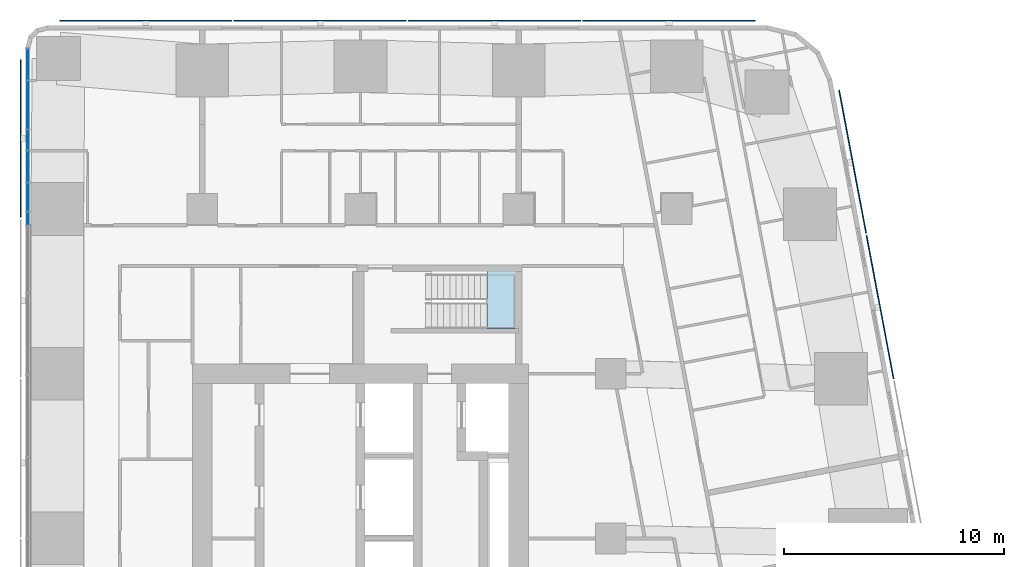
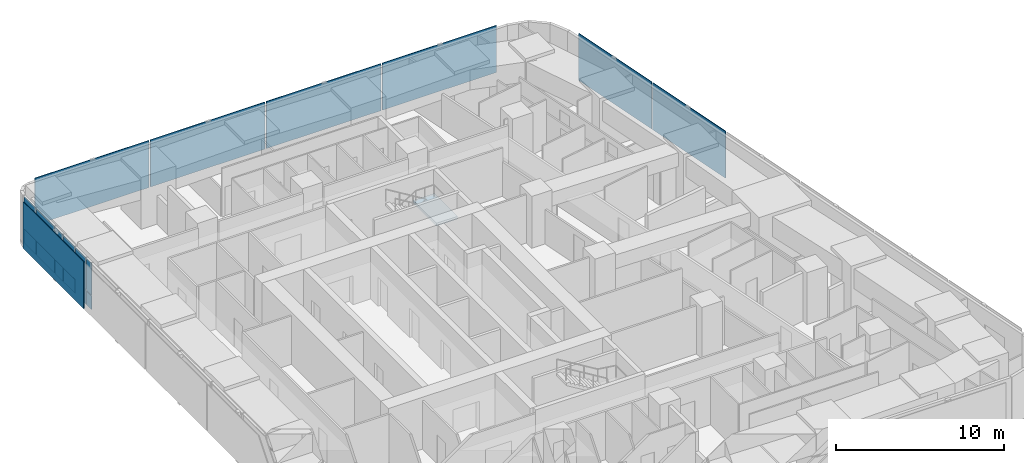
# One storey, part 9 of 19: 19 plates, 1 slab, 2 elements without a shape of their own.
"""IFC4 building model written with IfcOpenShell, lengths in metres."""

from ifc_helpers import new_model, si_unit, direction, frame, origin, origin_2d, place, context, subcontext, project, spatial, polyline, rectangle, outline, extrude, material, layer, layer_set, type_object, element, aggregate, save


model = new_model("IFC4")

# Units and contexts
model_context = context("Model", 3, precision=1e-05, world=origin(), true_north=direction((0.0, 1.0)))
body_context = subcontext(model_context, "Body", "Model", "MODEL_VIEW")
ifc_project = project(units=[si_unit("LENGTHUNIT", "METRE"), si_unit("AREAUNIT", "SQUARE_METRE"), si_unit("VOLUMEUNIT", "CUBIC_METRE"), si_unit("PLANEANGLEUNIT", "RADIAN"), si_unit("MASSUNIT", "GRAM", prefix="KILO")], contexts=[model_context])

# Site, building, storey
site_placement = place(None, origin())
site = spatial("IfcSite", under=ifc_project, at=site_placement, CompositionType="ELEMENT")
building_placement = place(site_placement, origin())
building = spatial("IfcBuilding", under=site, at=building_placement, Name="Sheger Commons Tower", CompositionType="ELEMENT")
storey_placement = place(building_placement, frame((0.0, 0.0, 197.449951171875)))
storey = spatial("IfcBuildingStorey", under=building, at=storey_placement, Name="L50", CompositionType="ELEMENT", Elevation=197.449951171875)

# Curtain wall, plates
ifc_material_1 = material(Name="Black aluminium curtain wall, dark tinted glazing", Category="aluminium")
curtain_wall_type = type_object("IfcCurtainWallType", Name="CURTAIN WALL CW4 GALLERY", PredefinedType="USERDEFINED", material=ifc_material_1)
curtain_wall_placement = place(storey_placement, origin())
curtain_wall = element("IfcCurtainWall", 1, at=curtain_wall_placement, inside=storey, type_object=curtain_wall_type, Name="Curtain Wall Cw4 Gallery W1 L50", ObjectType="UNITISED CURTAIN WALL", PredefinedType="USERDEFINED")
ifc_material_2 = material(Name="Dark tinted double glazing", Category="glass")
ifc_layer_1 = layer(ifc_material_2, 0.031982421875)
ifc_layer_set_1 = layer_set([ifc_layer_1], Name="GLAZED PANEL 32")
plate_type_1 = type_object("IfcPlateType", Name="GLAZED PANEL 32", PredefinedType="CURTAIN_PANEL", material=ifc_layer_set_1)
plate_1_placement = place(storey_placement, frame((6.449951171875, 44.0751953125, 0.065185546875), z_axis=(0.0, 0.0, 1.0), x_axis=(0.0, -1.0, 0.0)))
plate_1 = element("IfcPlate", 2, at=plate_1_placement, type_object=plate_type_1, Name="CW4 panel 1.1", PredefinedType="CURTAIN_PANEL", context=body_context, shape_type="SweptSolid", body=[
    extrude(rectangle(XDim=1.3935546875, YDim=0.031982421875, at=origin_2d()), origin(), (0.0, 0.0, 1.0), 1.00244140625),
])
plate_2_placement = place(storey_placement, frame((6.449951171875, 44.0751953125, 1.13232421875), z_axis=(0.0, 0.0, 1.0), x_axis=(0.0, -1.0, 0.0)))
plate_2 = element("IfcPlate", 3, at=plate_2_placement, type_object=plate_type_1, Name="CW4 panel 1.2", PredefinedType="CURTAIN_PANEL", context=body_context, shape_type="SweptSolid", body=[
    extrude(rectangle(XDim=1.3935546875, YDim=0.031982421875, at=origin_2d()), origin(), (0.0, 0.0, 1.0), 2.302490234375),
])
plate_3_placement = place(storey_placement, frame((6.449951171875, 42.22998046875, 0.065185546875), z_axis=(0.0, 0.0, 1.0), x_axis=(0.0, -1.0, 0.0)))
plate_3 = element("IfcPlate", 4, at=plate_3_placement, type_object=plate_type_1, Name="CW4 panel 2.1", PredefinedType="CURTAIN_PANEL", context=body_context, shape_type="SweptSolid", body=[
    extrude(rectangle(XDim=2.1669921875, YDim=0.031982421875, at=origin_2d()), origin(), (0.0, 0.0, 1.0), 1.00244140625),
])
plate_4_placement = place(storey_placement, frame((6.449951171875, 42.22998046875, 1.13232421875), z_axis=(0.0, 0.0, 1.0), x_axis=(0.0, -1.0, 0.0)))
plate_4 = element("IfcPlate", 5, at=plate_4_placement, type_object=plate_type_1, Name="CW4 panel 2.2", PredefinedType="CURTAIN_PANEL", context=body_context, shape_type="SweptSolid", body=[
    extrude(rectangle(XDim=2.1669921875, YDim=0.031982421875, at=origin_2d()), origin(), (0.0, 0.0, 1.0), 2.302490234375),
])
plate_5_placement = place(storey_placement, frame((6.449951171875, 40.632080078125, 0.065185546875), z_axis=(0.0, 0.0, 1.0), x_axis=(0.0, -1.0, 0.0)))
plate_5 = element("IfcPlate", 6, at=plate_5_placement, type_object=plate_type_1, Name="CW4 panel 3.1", PredefinedType="CURTAIN_PANEL", context=body_context, shape_type="SweptSolid", body=[
    extrude(rectangle(XDim=0.89892578125, YDim=0.031982421875, at=origin_2d()), origin(), (0.0, 0.0, 1.0), 1.00244140625),
])
plate_6_placement = place(storey_placement, frame((6.449951171875, 40.632080078125, 1.13232421875), z_axis=(0.0, 0.0, 1.0), x_axis=(0.0, -1.0, 0.0)))
plate_6 = element("IfcPlate", 7, at=plate_6_placement, type_object=plate_type_1, Name="CW4 panel 3.2", PredefinedType="CURTAIN_PANEL", context=body_context, shape_type="SweptSolid", body=[
    extrude(rectangle(XDim=0.89892578125, YDim=0.031982421875, at=origin_2d()), origin(), (0.0, 0.0, 1.0), 2.302490234375),
])
plate_7_placement = place(storey_placement, frame((6.449951171875, 39.425048828125, 0.065185546875), z_axis=(0.0, 0.0, 1.0), x_axis=(0.0, -1.0, 0.0)))
plate_7 = element("IfcPlate", 8, at=plate_7_placement, type_object=plate_type_1, Name="CW4 panel 4.1", PredefinedType="CURTAIN_PANEL", context=body_context, shape_type="SweptSolid", body=[
    extrude(rectangle(XDim=1.385009765625, YDim=0.031982421875, at=origin_2d()), origin(), (0.0, 0.0, 1.0), 1.00244140625),
])
plate_8_placement = place(storey_placement, frame((6.449951171875, 39.425048828125, 1.13232421875), z_axis=(0.0, 0.0, 1.0), x_axis=(0.0, -1.0, 0.0)))
plate_8 = element("IfcPlate", 9, at=plate_8_placement, type_object=plate_type_1, Name="CW4 panel 4.2", PredefinedType="CURTAIN_PANEL", context=body_context, shape_type="SweptSolid", body=[
    extrude(rectangle(XDim=1.385009765625, YDim=0.031982421875, at=origin_2d()), origin(), (0.0, 0.0, 1.0), 2.302490234375),
])
plate_9_placement = place(storey_placement, frame((6.449951171875, 38.04541015625, 0.065185546875), z_axis=(0.0, 0.0, 1.0), x_axis=(0.0, -1.0, 0.0)))
plate_9 = element("IfcPlate", 10, at=plate_9_placement, type_object=plate_type_1, Name="CW4 panel 5.1", PredefinedType="CURTAIN_PANEL", context=body_context, shape_type="SweptSolid", body=[
    extrude(rectangle(XDim=1.243896484375, YDim=0.031982421875, at=origin_2d()), origin(), (0.0, 0.0, 1.0), 1.00244140625),
])
plate_10_placement = place(storey_placement, frame((6.449951171875, 38.04541015625, 1.13232421875), z_axis=(0.0, 0.0, 1.0), x_axis=(0.0, -1.0, 0.0)))
plate_10 = element("IfcPlate", 11, at=plate_10_placement, type_object=plate_type_1, Name="CW4 panel 5.2", PredefinedType="CURTAIN_PANEL", context=body_context, shape_type="SweptSolid", body=[
    extrude(rectangle(XDim=1.243896484375, YDim=0.031982421875, at=origin_2d()), origin(), (0.0, 0.0, 1.0), 2.302490234375),
])
plate_11_placement = place(storey_placement, frame((6.449951171875, 37.070556640625, 0.065185546875), z_axis=(0.0, 0.0, 1.0), x_axis=(0.0, -1.0, 0.0)))
plate_11 = element("IfcPlate", 12, at=plate_11_placement, type_object=plate_type_1, Name="CW4 panel 6.1", PredefinedType="CURTAIN_PANEL", context=body_context, shape_type="SweptSolid", body=[
    extrude(rectangle(XDim=0.575927734375, YDim=0.031982421875, at=origin_2d()), origin(), (0.0, 0.0, 1.0), 1.00244140625),
])
plate_12_placement = place(storey_placement, frame((6.449951171875, 37.070556640625, 1.13232421875), z_axis=(0.0, 0.0, 1.0), x_axis=(0.0, -1.0, 0.0)))
plate_12 = element("IfcPlate", 13, at=plate_12_placement, type_object=plate_type_1, Name="CW4 panel 6.2", PredefinedType="CURTAIN_PANEL", context=body_context, shape_type="SweptSolid", body=[
    extrude(rectangle(XDim=0.575927734375, YDim=0.031982421875, at=origin_2d()), origin(), (0.0, 0.0, 1.0), 2.302490234375),
])
aggregate(curtain_wall, [plate_1, plate_2, plate_3, plate_4, plate_5, plate_6, plate_7, plate_8, plate_9, plate_10, plate_11, plate_12])

# Plates
ifc_material_3 = material(Name="Perforated black anodised aluminium screen", Category="aluminium")
ifc_layer_2 = layer(ifc_material_3, 0.050048828125)
ifc_layer_set_2 = layer_set([ifc_layer_2], Name="SOLAR SCREEN SCREEN-1")
plate_type_2 = type_object("IfcPlateType", Name="SOLAR SCREEN SCREEN-1", PredefinedType="USERDEFINED", material=ifc_layer_set_2)
for number, where, z_axis, x_axis, name in (
    (14, (45.2548828125, 33.028076171875, 0.050048828125), (0.0, 0.0, 1.0), (-0.185615165645, 0.982622516678, 0.0), "Perforated solar screen panel"),
    (15, (44.0048828125, 39.64794921875, 0.050048828125), (0.0, 0.0, 1.0), (-0.185615165645, 0.982622516678, 0.0), "Perforated solar screen panel"),
):
    element("IfcPlate", number, at=place(storey_placement, frame(where, z_axis=z_axis, x_axis=x_axis)), inside=storey, type_object=plate_type_2, Name=name, ObjectType="SCREEN", PredefinedType="USERDEFINED", context=body_context, shape_type="SweptSolid", body=[
        extrude(rectangle(XDim=6.636962890625, YDim=0.050048828125, at=origin_2d()), origin(), (0.0, 0.0, 1.0), 3.39990234375),
    ])
for number, where, z_axis, x_axis, name in (
    (16, (35.64697265625, 46.074951171875, 0.050048828125), (0.0, 0.0, 1.0), (-1.0, 0.0, 0.0), "Perforated solar screen panel"),
    (17, (27.705078125, 46.074951171875, 0.050048828125), (0.0, 0.0, 1.0), (-1.0, 0.0, 0.0), "Perforated solar screen panel"),
    (18, (19.762939453125, 46.074951171875, 0.050048828125), (0.0, 0.0, 1.0), (-1.0, 0.0, 0.0), "Perforated solar screen panel"),
    (19, (11.821044921875, 46.074951171875, 0.050048828125), (0.0, 0.0, 1.0), (-1.0, 0.0, 0.0), "Perforated solar screen panel"),
):
    element("IfcPlate", number, at=place(storey_placement, frame(where, z_axis=z_axis, x_axis=x_axis)), inside=storey, type_object=plate_type_2, Name=name, ObjectType="SCREEN", PredefinedType="USERDEFINED", context=body_context, shape_type="SweptSolid", body=[
        extrude(rectangle(XDim=7.842041015625, YDim=0.050048828125, at=origin_2d()), origin(), (0.0, 0.0, 1.0), 3.39990234375),
    ])
plate_13_placement = place(storey_placement, frame((6.125, 40.7080078125, 0.050048828125), z_axis=(0.0, 0.0, 1.0), x_axis=(0.0, -1.0, 0.0)))
element("IfcPlate", 20, at=plate_13_placement, inside=storey, type_object=plate_type_2, Name="Perforated solar screen panel", ObjectType="SCREEN", PredefinedType="USERDEFINED", context=body_context, shape_type="SweptSolid", body=[
    extrude(rectangle(XDim=7.18310546875, YDim=0.050048828125, at=origin_2d()), origin(), (0.0, 0.0, 1.0), 3.39990234375),
])

# Stair, slab
ifc_material_4 = material(Name="Concrete C35/45", Category="concrete")
stair_type = type_object("IfcStairType", Name="HALF-TURN STAIR 1200 RISE 3750", PredefinedType="HALF_TURN_STAIR", material=ifc_material_4)
stair_placement = place(storey_placement, origin())
stair = element("IfcStair", 21, at=stair_placement, inside=storey, type_object=stair_type, Name="Stair S2 L50", PredefinedType="HALF_TURN_STAIR")
ifc_material_5 = material(Name="Concrete C35/45", Category="concrete")
ifc_layer_3 = layer(ifc_material_5, 0.199951171875)
ifc_layer_set_3 = layer_set([ifc_layer_3], Name="STAIR LANDING 200")
slab_type = type_object("IfcSlabType", Name="STAIR LANDING 200", PredefinedType="LANDING", material=ifc_layer_set_3)
slab_placement = place(storey_placement, frame((0.0, 0.0, 1.675048828125)))
slab = element("IfcSlab", 22, at=slab_placement, type_object=slab_type, Name="S2 landing 1", PredefinedType="LANDING", context=body_context, shape_type="SweptSolid", body=[
    extrude(outline(polyline([(27.35009765625, 32.050048828125), (28.800048828125, 32.050048828125), (28.800048828125, 34.800048828125), (27.35009765625, 34.800048828125), (27.35009765625, 32.050048828125)])), origin(), (0.0, 0.0, 1.0), 0.199951171875),
])
aggregate(stair, [slab])

save(model, "model.ifc")
